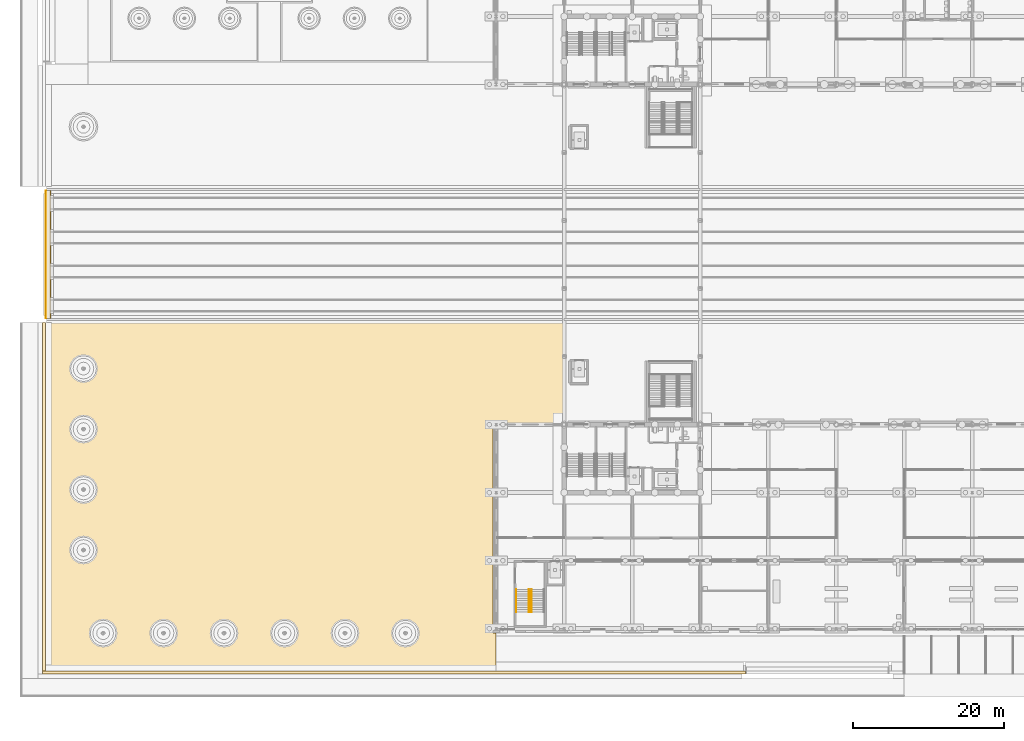
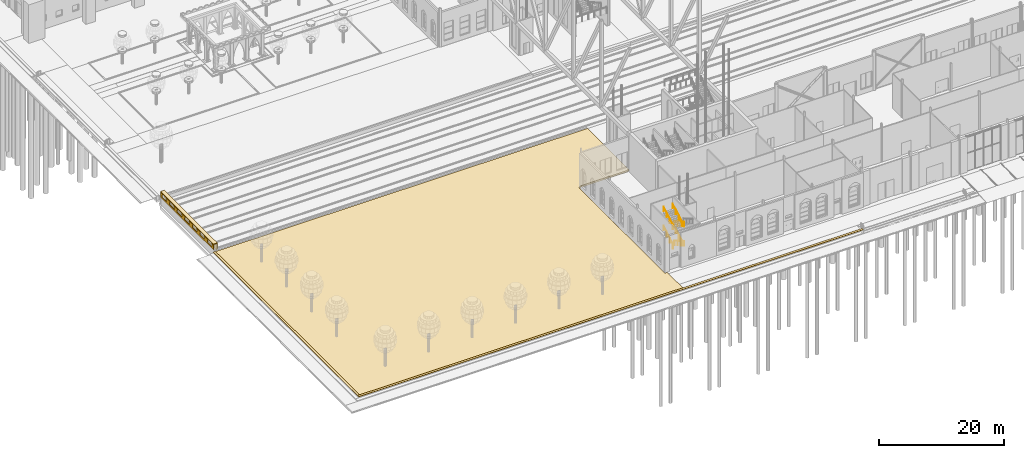
# One storey, part 174 of 250: 6 coverings, 6 railings.
"""IFC4 building model written with IfcOpenShell, lengths in metres."""

from ifc_helpers import new_model, si_unit, direction, frame, origin, origin_2d, place, context, subcontext, project, spatial, polyline, rectangle, circle, outline, extrude, material, layer, layer_set, type_object, element, save


model = new_model("IFC4")

# Units and contexts
model_context = context("Model", 3, precision=1e-05, world=origin(), true_north=direction((0.0, 1.0)))
body_context = subcontext(model_context, "Body", "Model", "MODEL_VIEW")
ifc_project = project(units=[si_unit("LENGTHUNIT", "METRE"), si_unit("AREAUNIT", "SQUARE_METRE"), si_unit("VOLUMEUNIT", "CUBIC_METRE"), si_unit("PLANEANGLEUNIT", "RADIAN"), si_unit("MASSUNIT", "GRAM", prefix="KILO")], contexts=[model_context])

# Site, building, storey
site_placement = place(None, origin())
site = spatial("IfcSite", under=ifc_project, at=site_placement, CompositionType="ELEMENT")
building_placement = place(site_placement, origin())
building = spatial("IfcBuilding", under=site, at=building_placement, Name="Baradari Gate Terminus", CompositionType="ELEMENT")
storey_placement = place(building_placement, origin())
storey = spatial("IfcBuildingStorey", under=building, at=storey_placement, Name="L00", CompositionType="ELEMENT", Elevation=0.0)

# Railings
ifc_material_1 = material(Name="Stainless steel 1.4301", Category="steel")
railing_type = type_object("IfcRailingType", Name="Handrail HR-1 900", PredefinedType="HANDRAIL", material=ifc_material_1)
railing_1_placement = place(storey_placement, frame((67.659912109375, 14.199951171875, 0.17041015625)))
element("IfcRailing", 1, at=railing_1_placement, inside=storey, type_object=railing_type, Name="Handrail ST-SW1 L00 flight 1", PredefinedType="HANDRAIL", context=body_context, shape_type="SweptSolid", body=[
    extrude(circle(Radius=0.02392578125, at=origin_2d()), frame((0.0, 0.0, 0.8759765625), z_axis=(0.0, -0.869451031676, 0.494019132744), x_axis=(1.0, 0.0, 0.0)), (0.0, 0.0, 1.0), 3.450439453125),
    extrude(circle(Radius=0.02099609375, at=origin_2d()), origin(), (0.0, 0.0, 1.0), 0.851806640625),
    extrude(circle(Radius=0.02099609375, at=origin_2d()), frame((0.0, -1.0, 0.568115234375)), (0.0, 0.0, 1.0), 0.851806640625),
    extrude(circle(Radius=0.02099609375, at=origin_2d()), frame((0.0, -2.0, 1.136474609375)), (0.0, 0.0, 1.0), 0.851806640625),
    extrude(circle(Radius=0.02099609375, at=origin_2d()), frame((0.0, -3.0, 1.70458984375)), (0.0, 0.0, 1.0), 0.851806640625),
])
for number, where, name in (
    (2, (67.340087890625, 11.199951171875, 2.04541015625), "Handrail ST-SW1 L00 flight 2"),
    (3, (65.659912109375, 11.199951171875, 2.04541015625), "Handrail ST-SW1 L00 flight 2"),
):
    element("IfcRailing", number, at=place(storey_placement, frame(where)), inside=storey, type_object=railing_type, Name=name, PredefinedType="HANDRAIL", context=body_context, shape_type="SweptSolid", body=[
        extrude(circle(Radius=0.02392578125, at=origin_2d()), frame((0.0, 0.0, 0.8759765625), z_axis=(0.0, 0.869451031676, 0.494019132744), x_axis=(-1.0, 0.0, 0.0)), (0.0, 0.0, 1.0), 3.450439453125),
        extrude(circle(Radius=0.02099609375, at=origin_2d()), origin(), (0.0, 0.0, 1.0), 0.851806640625),
        extrude(circle(Radius=0.02099609375, at=origin_2d()), frame((0.0, 1.0, 0.568115234375)), (0.0, 0.0, 1.0), 0.851806640625),
        extrude(circle(Radius=0.02099609375, at=origin_2d()), frame((0.0, 2.0, 1.136474609375)), (0.0, 0.0, 1.0), 0.851806640625),
        extrude(circle(Radius=0.02099609375, at=origin_2d()), frame((0.0, 3.0, 1.70458984375)), (0.0, 0.0, 1.0), 0.851806640625),
    ])
railing_2_placement = place(storey_placement, frame((67.659912109375, 14.199951171875, 3.92041015625)))
element("IfcRailing", 4, at=railing_2_placement, inside=storey, type_object=railing_type, Name="Handrail ST-SW1 L00 flight 3", PredefinedType="HANDRAIL", context=body_context, shape_type="SweptSolid", body=[
    extrude(circle(Radius=0.02392578125, at=origin_2d()), frame((0.0, 0.0, 0.8759765625), z_axis=(0.0, -0.869451031676, 0.494019132744), x_axis=(1.0, 0.0, 0.0)), (0.0, 0.0, 1.0), 3.450439453125),
    extrude(circle(Radius=0.02099609375, at=origin_2d()), origin(), (0.0, 0.0, 1.0), 0.851806640625),
    extrude(circle(Radius=0.02099609375, at=origin_2d()), frame((0.0, -1.0, 0.568115234375)), (0.0, 0.0, 1.0), 0.851806640625),
    extrude(circle(Radius=0.02099609375, at=origin_2d()), frame((0.0, -2.0, 1.136474609375)), (0.0, 0.0, 1.0), 0.851806640625),
    extrude(circle(Radius=0.02099609375, at=origin_2d()), frame((0.0, -3.0, 1.70458984375)), (0.0, 0.0, 1.0), 0.851806640625),
])
for number, where, name in (
    (5, (67.340087890625, 11.199951171875, 5.79541015625), "Handrail ST-SW1 L00 flight 4"),
    (6, (65.659912109375, 11.199951171875, 5.79541015625), "Handrail ST-SW1 L00 flight 4"),
):
    element("IfcRailing", number, at=place(storey_placement, frame(where)), inside=storey, type_object=railing_type, Name=name, PredefinedType="HANDRAIL", context=body_context, shape_type="SweptSolid", body=[
        extrude(circle(Radius=0.02392578125, at=origin_2d()), frame((0.0, 0.0, 0.8759765625), z_axis=(0.0, 0.869451031676, 0.494019132744), x_axis=(-1.0, 0.0, 0.0)), (0.0, 0.0, 1.0), 3.450439453125),
        extrude(circle(Radius=0.02099609375, at=origin_2d()), origin(), (0.0, 0.0, 1.0), 0.851806640625),
        extrude(circle(Radius=0.02099609375, at=origin_2d()), frame((0.0, 1.0, 0.568115234375)), (0.0, 0.0, 1.0), 0.851806640625),
        extrude(circle(Radius=0.02099609375, at=origin_2d()), frame((0.0, 2.0, 1.136474609375)), (0.0, 0.0, 1.0), 0.851806640625),
        extrude(circle(Radius=0.02099609375, at=origin_2d()), frame((0.0, 3.0, 1.70458984375)), (0.0, 0.0, 1.0), 0.851806640625),
    ])

# Coverings
ifc_material_2 = material(Name="Planted lawn")
ifc_layer_1 = layer(ifc_material_2, 0.300048828125)
ifc_layer_set_1 = layer_set([ifc_layer_1], Name="Planted lawn")
covering_type_1 = type_object("IfcCoveringType", Name="Planted lawn bed LW-1 300", PredefinedType="USERDEFINED", material=ifc_layer_set_1)
covering_1_placement = place(storey_placement, frame((0.0, 0.0, -0.300048828125)))
element("IfcCovering", 7, at=covering_1_placement, inside=storey, type_object=covering_type_1, Name="Planted lawn 1", ObjectType="LAWN", PredefinedType="USERDEFINED", context=body_context, shape_type="SweptSolid", body=[
    extrude(outline(polyline([(3.39990234375, 3.39990234375), (63.0, 3.39990234375), (63.0, 8.449951171875), (62.590087890625, 8.449951171875), (62.587158203125, 8.4501953125), (62.584228515625, 8.45068359375), (62.581298828125, 8.451416015625), (62.57861328125, 8.452392578125), (62.575927734375, 8.45361328125), (62.5732421875, 8.455078125), (62.571044921875, 8.456787109375), (62.56884765625, 8.458740234375), (62.56689453125, 8.4609375), (62.56494140625, 8.46337890625), (62.5634765625, 8.4658203125), (62.562255859375, 8.468505859375), (62.561279296875, 8.471435546875), (62.560546875, 8.47412109375), (62.56005859375, 8.47705078125), (62.56005859375, 8.47998046875), (62.56005859375, 8.72998046875), (62.56005859375, 35.869873046875), (62.56005859375, 35.872802734375), (62.560546875, 35.875732421875), (62.561279296875, 35.878662109375), (62.562255859375, 35.88134765625), (62.5634765625, 35.884033203125), (62.56494140625, 35.886474609375), (62.56689453125, 35.888916015625), (62.56884765625, 35.89111328125), (62.571044921875, 35.89306640625), (62.5732421875, 35.894775390625), (62.575927734375, 35.896240234375), (62.57861328125, 35.8974609375), (62.581298828125, 35.8984375), (62.584228515625, 35.899169921875), (62.587158203125, 35.899658203125), (62.590087890625, 35.89990234375), (62.840087890625, 35.89990234375), (62.841796875, 35.89990234375), (62.841796875, 36.130126953125), (62.842041015625, 36.133056640625), (62.842529296875, 36.135986328125), (62.84326171875, 36.138916015625), (62.84423828125, 36.1416015625), (62.845458984375, 36.144287109375), (62.846923828125, 36.146728515625), (62.8486328125, 36.149169921875), (62.8505859375, 36.1513671875), (62.852783203125, 36.1533203125), (62.855224609375, 36.155029296875), (62.857666015625, 36.156494140625), (62.8603515625, 36.157958984375), (62.863037109375, 36.158935546875), (62.865966796875, 36.15966796875), (62.868896484375, 36.159912109375), (62.871826171875, 36.16015625), (63.09814453125, 36.16015625), (63.098388671875, 36.162841796875), (63.0986328125, 36.165771484375), (63.099365234375, 36.168701171875), (63.100341796875, 36.17138671875), (63.101806640625, 36.174072265625), (63.103271484375, 36.1767578125), (63.10498046875, 36.178955078125), (63.10693359375, 36.18115234375), (63.109130859375, 36.18310546875), (63.111572265625, 36.18505859375), (63.114013671875, 36.1865234375), (63.11669921875, 36.187744140625), (63.119384765625, 36.188720703125), (63.122314453125, 36.189453125), (63.125244140625, 36.18994140625), (63.128173828125, 36.18994140625), (71.669921875, 36.18994140625), (71.669921875, 36.300048828125), (71.670166015625, 36.302978515625), (71.670654296875, 36.305908203125), (71.67138671875, 36.30859375), (71.67236328125, 36.3115234375), (71.673583984375, 36.314208984375), (71.675048828125, 36.316650390625), (71.6767578125, 36.319091796875), (71.6787109375, 36.3212890625), (71.680908203125, 36.3232421875), (71.683349609375, 36.324951171875), (71.685791015625, 36.326416015625), (71.6884765625, 36.32763671875), (71.69140625, 36.32861328125), (71.694091796875, 36.329345703125), (71.697021484375, 36.329833984375), (71.699951171875, 36.330078125), (72.0, 36.330078125), (72.0, 49.5), (3.39990234375, 49.5), (3.39990234375, 3.39990234375)])), origin(), (0.0, 0.0, 1.0), 0.300048828125),
])
ifc_material_3 = material(Name="Precast concrete C40/50", Category="concrete")
ifc_layer_2 = layer(ifc_material_3, 0.14990234375)
ifc_layer_set_2 = layer_set([ifc_layer_2], Name="Precast concrete C40/50")
covering_type_2 = type_object("IfcCoveringType", Name="Precast headwall coping HC1 150", PredefinedType="CLADDING", material=ifc_layer_set_2)
covering_2_placement = place(storey_placement, frame((3.75, 58.5, 1.0), z_axis=(0.0, 0.0, 1.0), x_axis=(1.0, 0.0, 0.0)))
element("IfcCovering", 8, at=covering_2_placement, inside=storey, type_object=covering_type_2, Name="Headwall coping W", PredefinedType="CLADDING", context=body_context, shape_type="SweptSolid", body=[
    extrude(rectangle(XDim=0.699951171875, YDim=16.89990234375, at=origin_2d()), origin(), (0.0, 0.0, 1.0), 0.14990234375),
])
ifc_material_4 = material(Name="Sandstone cladding", Category="masonry")
ifc_layer_3 = layer(ifc_material_4, 0.10009765625)
ifc_layer_set_3 = layer_set([ifc_layer_3], Name="Sandstone cladding")
covering_type_3 = type_object("IfcCoveringType", Name="Sandstone headwall cladding HC-1 100", PredefinedType="CLADDING", material=ifc_layer_set_3)
covering_3_placement = place(storey_placement, frame((4.050048828125, 50.050048828125, -0.300048828125), z_axis=(0.0, 0.0, 1.0), x_axis=(0.0, 1.0, 0.0)))
element("IfcCovering", 9, at=covering_3_placement, inside=storey, type_object=covering_type_3, Name="Headwall cladding W 1", PredefinedType="CLADDING", context=body_context, shape_type="SweptSolid", body=[
    extrude(outline(polyline([(0.0, 0.0), (16.89990234375, 0.0), (16.89990234375, 1.300048828125), (0.0, 1.300048828125), (0.0, 0.0)]), holes=[polyline([(0.898193359375, 0.54248046875), (0.92236328125, 0.6318359375), (0.9619140625, 0.7158203125), (1.015625, 0.79150390625), (1.081787109375, 0.8564453125), (1.158447265625, 0.908935546875), (1.242919921875, 0.947265625), (1.3330078125, 0.969970703125), (1.42529296875, 0.9765625), (1.517578125, 0.966796875), (1.606689453125, 0.941162109375), (1.68994140625, 0.900146484375), (1.773193359375, 0.941162109375), (1.8623046875, 0.966796875), (1.95458984375, 0.9765625), (2.047119140625, 0.969970703125), (2.136962890625, 0.947265625), (2.2216796875, 0.908935546875), (2.298095703125, 0.8564453125), (2.3642578125, 0.79150390625), (2.41796875, 0.7158203125), (2.45751953125, 0.6318359375), (2.481689453125, 0.54248046875), (2.489990234375, 0.449951171875), (2.489990234375, 0.150146484375), (0.889892578125, 0.150146484375), (0.889892578125, 0.449951171875), (0.898193359375, 0.54248046875)]), polyline([(4.2783203125, 0.54248046875), (4.302490234375, 0.6318359375), (4.342041015625, 0.7158203125), (4.395751953125, 0.79150390625), (4.4619140625, 0.8564453125), (4.538330078125, 0.908935546875), (4.623046875, 0.947265625), (4.712890625, 0.969970703125), (4.805419921875, 0.9765625), (4.897705078125, 0.966796875), (4.98681640625, 0.941162109375), (5.070068359375, 0.900146484375), (5.1533203125, 0.941162109375), (5.2421875, 0.966796875), (5.334716796875, 0.9765625), (5.427001953125, 0.969970703125), (5.51708984375, 0.947265625), (5.6015625, 0.908935546875), (5.677978515625, 0.8564453125), (5.744384765625, 0.79150390625), (5.798095703125, 0.7158203125), (5.837646484375, 0.6318359375), (5.86181640625, 0.54248046875), (5.8701171875, 0.449951171875), (5.8701171875, 0.150146484375), (4.27001953125, 0.150146484375), (4.27001953125, 0.449951171875), (4.2783203125, 0.54248046875)]), polyline([(7.658203125, 0.54248046875), (7.682373046875, 0.6318359375), (7.721923828125, 0.7158203125), (7.775634765625, 0.79150390625), (7.841796875, 0.8564453125), (7.91845703125, 0.908935546875), (8.0029296875, 0.947265625), (8.093017578125, 0.969970703125), (8.185302734375, 0.9765625), (8.277587890625, 0.966796875), (8.36669921875, 0.941162109375), (8.449951171875, 0.900146484375), (8.533203125, 0.941162109375), (8.622314453125, 0.966796875), (8.714599609375, 0.9765625), (8.80712890625, 0.969970703125), (8.89697265625, 0.947265625), (8.981689453125, 0.908935546875), (9.05810546875, 0.8564453125), (9.124267578125, 0.79150390625), (9.177978515625, 0.7158203125), (9.217529296875, 0.6318359375), (9.24169921875, 0.54248046875), (9.25, 0.449951171875), (9.25, 0.150146484375), (7.64990234375, 0.150146484375), (7.64990234375, 0.449951171875), (7.658203125, 0.54248046875)]), polyline([(11.0625, 0.6318359375), (11.10205078125, 0.7158203125), (11.15576171875, 0.79150390625), (11.221923828125, 0.8564453125), (11.29833984375, 0.908935546875), (11.383056640625, 0.947265625), (11.472900390625, 0.969970703125), (11.5654296875, 0.9765625), (11.65771484375, 0.966796875), (11.746826171875, 0.941162109375), (11.830078125, 0.900146484375), (11.9130859375, 0.941162109375), (12.002197265625, 0.966796875), (12.094482421875, 0.9765625), (12.18701171875, 0.969970703125), (12.277099609375, 0.947265625), (12.361572265625, 0.908935546875), (12.43798828125, 0.8564453125), (12.50439453125, 0.79150390625), (12.55810546875, 0.7158203125), (12.59765625, 0.6318359375), (12.621826171875, 0.54248046875), (12.6298828125, 0.449951171875), (12.6298828125, 0.150146484375), (11.030029296875, 0.150146484375), (11.030029296875, 0.449951171875), (11.0380859375, 0.54248046875), (11.0625, 0.6318359375)]), polyline([(14.4423828125, 0.6318359375), (14.48193359375, 0.7158203125), (14.53564453125, 0.79150390625), (14.601806640625, 0.8564453125), (14.678466796875, 0.908935546875), (14.762939453125, 0.947265625), (14.852783203125, 0.969970703125), (14.9453125, 0.9765625), (15.03759765625, 0.966796875), (15.126708984375, 0.941162109375), (15.2099609375, 0.900146484375), (15.293212890625, 0.941162109375), (15.38232421875, 0.966796875), (15.474609375, 0.9765625), (15.567138671875, 0.969970703125), (15.656982421875, 0.947265625), (15.74169921875, 0.908935546875), (15.818115234375, 0.8564453125), (15.88427734375, 0.79150390625), (15.93798828125, 0.7158203125), (15.9775390625, 0.6318359375), (16.001708984375, 0.54248046875), (16.010009765625, 0.449951171875), (16.010009765625, 0.150146484375), (14.409912109375, 0.150146484375), (14.409912109375, 0.449951171875), (14.418212890625, 0.54248046875), (14.4423828125, 0.6318359375)])]), frame((0.0, 0.050048828125, 0.0), z_axis=(0.0, -1.0, 0.0), x_axis=(1.0, 0.0, 0.0)), (0.0, 0.0, 1.0), 0.10009765625),
])
covering_4_placement = place(storey_placement, frame((3.449951171875, 50.050048828125, 0.0), z_axis=(0.0, 0.0, 1.0), x_axis=(0.0, 1.0, 0.0)))
element("IfcCovering", 10, at=covering_4_placement, inside=storey, type_object=covering_type_3, Name="Headwall street cladding W 1", PredefinedType="CLADDING", context=body_context, shape_type="SweptSolid", body=[
    extrude(outline(polyline([(16.202880859375, 0.949951171875), (16.253662109375, 0.920166015625), (16.318359375, 0.86328125), (16.371337890625, 0.79541015625), (16.41064453125, 0.718505859375), (16.434814453125, 0.6357421875), (16.44287109375, 0.550048828125), (16.44287109375, 0.300048828125), (14.94287109375, 0.300048828125), (14.94287109375, 0.550048828125), (14.950927734375, 0.6357421875), (14.97509765625, 0.718505859375), (15.014404296875, 0.79541015625), (15.0673828125, 0.86328125), (15.132080078125, 0.920166015625), (15.182861328125, 0.949951171875), (13.78857421875, 0.949951171875), (13.83935546875, 0.920166015625), (13.904052734375, 0.86328125), (13.95703125, 0.79541015625), (13.996337890625, 0.718505859375), (14.0205078125, 0.6357421875), (14.028564453125, 0.550048828125), (14.028564453125, 0.300048828125), (12.528564453125, 0.300048828125), (12.528564453125, 0.550048828125), (12.53662109375, 0.6357421875), (12.560791015625, 0.718505859375), (12.60009765625, 0.79541015625), (12.653076171875, 0.86328125), (12.7177734375, 0.920166015625), (12.7685546875, 0.949951171875), (11.374267578125, 0.949951171875), (11.425048828125, 0.920166015625), (11.48974609375, 0.86328125), (11.542724609375, 0.79541015625), (11.58203125, 0.718505859375), (11.606201171875, 0.6357421875), (11.6142578125, 0.550048828125), (11.6142578125, 0.300048828125), (10.1142578125, 0.300048828125), (10.1142578125, 0.550048828125), (10.122314453125, 0.6357421875), (10.146484375, 0.718505859375), (10.185791015625, 0.79541015625), (10.23876953125, 0.86328125), (10.303466796875, 0.920166015625), (10.354248046875, 0.949951171875), (8.9599609375, 0.949951171875), (9.0107421875, 0.920166015625), (9.07568359375, 0.86328125), (9.12841796875, 0.79541015625), (9.167724609375, 0.718505859375), (9.19189453125, 0.6357421875), (9.199951171875, 0.550048828125), (9.199951171875, 0.300048828125), (7.699951171875, 0.300048828125), (7.699951171875, 0.550048828125), (7.7080078125, 0.6357421875), (7.732177734375, 0.718505859375), (7.771484375, 0.79541015625), (7.824462890625, 0.86328125), (7.88916015625, 0.920166015625), (7.93994140625, 0.949951171875), (6.545654296875, 0.949951171875), (6.596435546875, 0.920166015625), (6.661376953125, 0.86328125), (6.714111328125, 0.79541015625), (6.75341796875, 0.718505859375), (6.777587890625, 0.6357421875), (6.78564453125, 0.550048828125), (6.78564453125, 0.300048828125), (5.28564453125, 0.300048828125), (5.28564453125, 0.550048828125), (5.293701171875, 0.6357421875), (5.318115234375, 0.718505859375), (5.357177734375, 0.79541015625), (5.41015625, 0.86328125), (5.474853515625, 0.920166015625), (5.525634765625, 0.949951171875), (4.13134765625, 0.949951171875), (4.18212890625, 0.920166015625), (4.2470703125, 0.86328125), (4.2998046875, 0.79541015625), (4.339111328125, 0.718505859375), (4.36328125, 0.6357421875), (4.371337890625, 0.550048828125), (4.371337890625, 0.300048828125), (2.871337890625, 0.300048828125), (2.871337890625, 0.550048828125), (2.879638671875, 0.6357421875), (2.90380859375, 0.718505859375), (2.94287109375, 0.79541015625), (2.995849609375, 0.86328125), (3.060791015625, 0.920166015625), (3.111328125, 0.949951171875), (1.717041015625, 0.949951171875), (1.767822265625, 0.920166015625), (1.832763671875, 0.86328125), (1.8857421875, 0.79541015625), (1.9248046875, 0.718505859375), (1.948974609375, 0.6357421875), (1.95703125, 0.550048828125), (1.95703125, 0.300048828125), (0.45703125, 0.300048828125), (0.45703125, 0.550048828125), (0.46533203125, 0.6357421875), (0.489501953125, 0.718505859375), (0.528564453125, 0.79541015625), (0.58154296875, 0.86328125), (0.646484375, 0.920166015625), (0.697265625, 0.949951171875), (0.0, 0.949951171875), (0.0, 0.0), (16.89990234375, 0.0), (16.89990234375, 0.949951171875), (16.202880859375, 0.949951171875)])), frame((0.0, 0.050048828125, 0.0), z_axis=(0.0, -1.0, 0.0), x_axis=(1.0, 0.0, 0.0)), (0.0, 0.0, 1.0), 0.10009765625),
])
ifc_material_5 = material(Name="Sandstone", Category="masonry")
ifc_layer_4 = layer(ifc_material_5, 0.080078125)
ifc_layer_set_4 = layer_set([ifc_layer_4], Name="Sandstone")
covering_type_4 = type_object("IfcCoveringType", Name="Stone coping CG-1 80", PredefinedType="CLADDING", material=ifc_layer_set_4)
covering_5_placement = place(storey_placement, origin())
element("IfcCovering", 11, at=covering_5_placement, inside=storey, type_object=covering_type_4, Name="Stone coping S1", PredefinedType="CLADDING", context=body_context, shape_type="SweptSolid", body=[
    extrude(outline(polyline([(96.0, 3.0), (96.0, 3.39990234375), (3.0, 3.39990234375), (3.0, 3.0), (96.0, 3.0)])), origin(), (0.0, 0.0, 1.0), 0.080078125),
])
covering_6_placement = place(storey_placement, origin())
element("IfcCovering", 12, at=covering_6_placement, inside=storey, type_object=covering_type_4, Name="Stone coping W1", PredefinedType="CLADDING", context=body_context, shape_type="SweptSolid", body=[
    extrude(outline(polyline([(3.39990234375, 3.39990234375), (3.39990234375, 49.5), (3.0, 49.5), (3.0, 3.39990234375), (3.39990234375, 3.39990234375)])), origin(), (0.0, 0.0, 1.0), 0.080078125),
])

save(model, "model.ifc")
